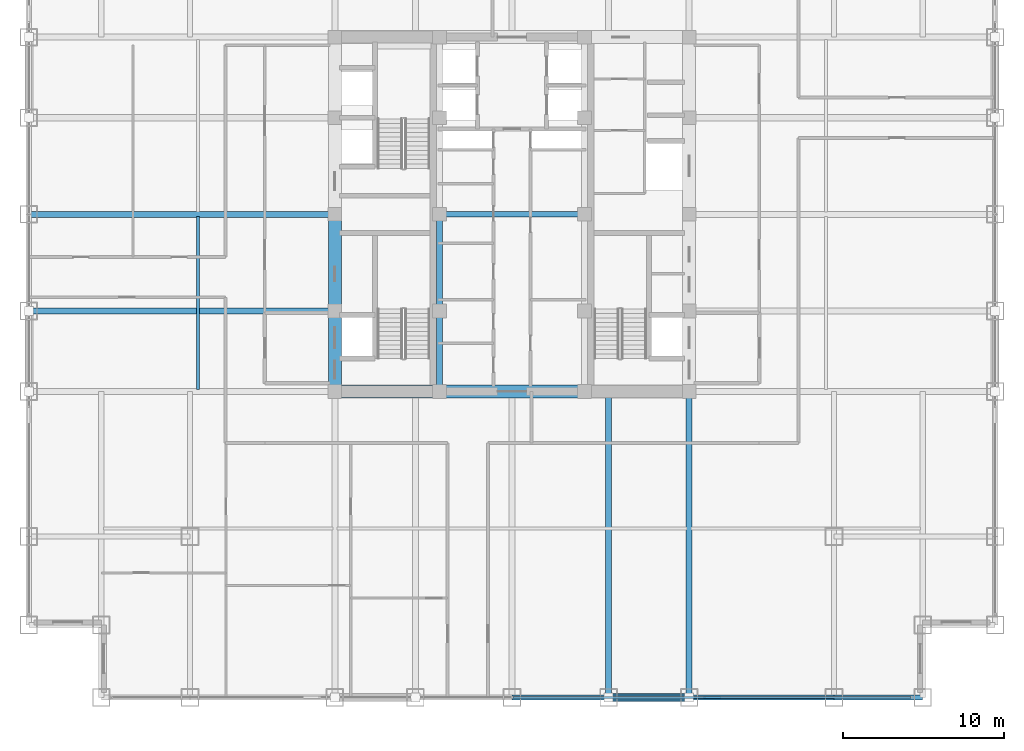
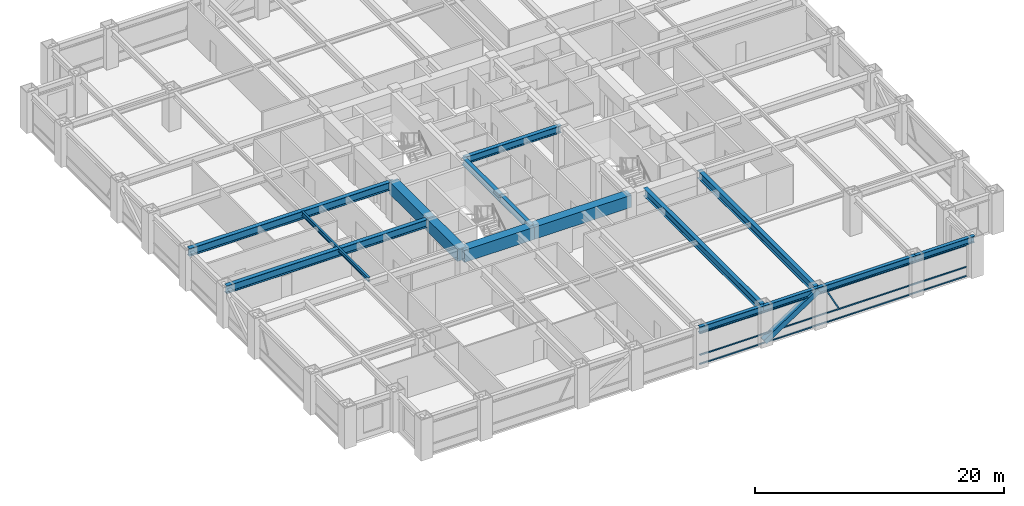
# One storey, part 7 of 24: 16 beams, 5 members, 1 element without a shape of its own.
"""IFC4 building model written with IfcOpenShell, lengths in metres."""

from ifc_helpers import new_model, si_unit, direction, frame, origin, origin_2d, place, context, subcontext, project, spatial, rectangle, hollow_rectangle, i_section, extrude, source, transform, mapped, material, material_profile, profile_set, type_object, element, aggregate, save


model = new_model("IFC4")

# Units and contexts
model_context = context("Model", 3, precision=1e-05, world=origin(), true_north=direction((0.0, 1.0)))
body_context = subcontext(model_context, "Body", "Model", "MODEL_VIEW")
ifc_project = project(units=[si_unit("LENGTHUNIT", "METRE"), si_unit("AREAUNIT", "SQUARE_METRE"), si_unit("VOLUMEUNIT", "CUBIC_METRE"), si_unit("PLANEANGLEUNIT", "RADIAN"), si_unit("MASSUNIT", "GRAM", prefix="KILO")], contexts=[model_context])

# Site, building, storey
site_placement = place(None, origin())
site = spatial("IfcSite", under=ifc_project, at=site_placement, CompositionType="ELEMENT")
building_placement = place(site_placement, origin())
building = spatial("IfcBuilding", under=site, at=building_placement, Name="Khorayat Bourse Tower", CompositionType="ELEMENT")
storey_placement = place(building_placement, frame((0.0, 0.0, 179.10009765625)))
storey = spatial("IfcBuildingStorey", under=building, at=storey_placement, Name="L41", CompositionType="ELEMENT", Elevation=179.10009765625)

# Beams
ifc_material_1 = material(Name="Concrete C72/90", Category="concrete")
ifc_material_profile_1 = material_profile(ifc_material_1, rectangle(XDim=0.800048828125, YDim=1.199951171875, at=origin_2d()), Name="RC 800x1200")
ifc_profile_set_1 = profile_set([ifc_material_profile_1], Name="Concrete C72/90")
beam_type_1 = type_object("IfcBeamType", Name="BM-COUP-1200", PredefinedType="BEAM", material=ifc_profile_set_1)
shared_shape_1 = source(origin(), body_context, "Body", "SweptSolid", [
    extrude(rectangle(XDim=0.800048828125, YDim=1.199951171875, at=origin_2d()), origin(), (0.0, 0.0, 1.0), 5.0),
])
beam_1_placement = place(storey_placement, frame((-11.0, -11.0, 3.179931640625), z_axis=(0.0, 1.0, 0.0), x_axis=(-1.0, 0.0, 0.0)))
element("IfcBeam", 1, at=beam_1_placement, inside=storey, type_object=beam_type_1, Name="L41 BM-COUP-1200 BM-L41-CRX-01", PredefinedType="BEAM", context=body_context, shape_type="MappedRepresentation", body=[
    mapped(shared_shape_1, transform((0.0, 0.0, 0.0), scale=1.0)),
])
shared_shape_2 = source(origin(), body_context, "Body", "SweptSolid", [
    extrude(rectangle(XDim=0.800048828125, YDim=1.199951171875, at=origin_2d()), origin(), (0.0, 0.0, 1.0), 6.0),
])
beam_2_placement = place(storey_placement, frame((-11.0, -6.0, 3.179931640625), z_axis=(0.0, 1.0, 0.0), x_axis=(-1.0, 0.0, 0.0)))
element("IfcBeam", 2, at=beam_2_placement, inside=storey, type_object=beam_type_1, Name="L41 BM-COUP-1200 BM-L41-CRX-02", PredefinedType="BEAM", context=body_context, shape_type="MappedRepresentation", body=[
    mapped(shared_shape_2, transform((0.0, 0.0, 0.0), scale=1.0)),
])
ifc_material_2 = material(Name="Steel ASTM A992 Grade 50", Category="steel")
ifc_material_profile_2 = material_profile(ifc_material_2, i_section(OverallWidth=0.35498046875, OverallDepth=0.695068359375, WebThickness=0.015380859375, FlangeThickness=0.02490234375, FilletRadius=0.01806640625, at=origin_2d()), Name="W690X217")
ifc_profile_set_2 = profile_set([ifc_material_profile_2], Name="Steel ASTM A992 Grade 50")
beam_type_2 = type_object("IfcBeamType", Name="BM-GIRD-690", PredefinedType="BEAM", material=ifc_profile_set_2)
shared_shape_3 = source(origin(), body_context, "Body", "SweptSolid", [
    extrude(i_section(OverallWidth=0.35498046875, OverallDepth=0.695068359375, WebThickness=0.015380859375, FlangeThickness=0.02490234375, FilletRadius=0.01806640625, at=origin_2d()), origin(), (0.0, 0.0, 1.0), 5.0),
])
beam_3_placement = place(storey_placement, frame((-4.5, -11.0, 3.432373046875), z_axis=(0.0, 1.0, 0.0), x_axis=(-1.0, 0.0, 0.0)))
element("IfcBeam", 3, at=beam_3_placement, inside=storey, type_object=beam_type_2, Name="L41 BM-GIRD-690 BM-L41-CRX-05", PredefinedType="BEAM", context=body_context, shape_type="MappedRepresentation", body=[
    mapped(shared_shape_3, transform((0.0, 0.0, 0.0), scale=1.0)),
])
shared_shape_4 = source(origin(), body_context, "Body", "SweptSolid", [
    extrude(i_section(OverallWidth=0.35498046875, OverallDepth=0.695068359375, WebThickness=0.015380859375, FlangeThickness=0.02490234375, FilletRadius=0.01806640625, at=origin_2d()), origin(), (0.0, 0.0, 1.0), 6.0),
])
beam_4_placement = place(storey_placement, frame((-4.5, -6.0, 3.432373046875), z_axis=(0.0, 1.0, 0.0), x_axis=(-1.0, 0.0, 0.0)))
element("IfcBeam", 4, at=beam_4_placement, inside=storey, type_object=beam_type_2, Name="L41 BM-GIRD-690 BM-L41-CRX-06", PredefinedType="BEAM", context=body_context, shape_type="MappedRepresentation", body=[
    mapped(shared_shape_4, transform((0.0, 0.0, 0.0), scale=1.0)),
])
shared_shape_5 = source(origin(), body_context, "Body", "SweptSolid", [
    extrude(rectangle(XDim=0.800048828125, YDim=1.199951171875, at=origin_2d()), origin(), (0.0, 0.0, 1.0), 6.5),
])
beam_5_placement = place(storey_placement, frame((-11.0, -11.0, 3.179931640625), z_axis=(1.0, 0.0, 0.0), x_axis=(0.0, 1.0, 0.0)))
element("IfcBeam", 5, at=beam_5_placement, inside=storey, type_object=beam_type_1, Name="L41 BM-COUP-1200 BM-L41-CRY-17", PredefinedType="BEAM", context=body_context, shape_type="MappedRepresentation", body=[
    mapped(shared_shape_5, transform((0.0, 0.0, 0.0), scale=1.0)),
])
shared_shape_6 = source(origin(), body_context, "Body", "SweptSolid", [
    extrude(rectangle(XDim=0.800048828125, YDim=1.199951171875, at=origin_2d()), origin(), (0.0, 0.0, 1.0), 9.0),
])
beam_6_placement = place(storey_placement, frame((-4.5, -11.0, 3.179931640625), z_axis=(1.0, 0.0, 0.0), x_axis=(0.0, 1.0, 0.0)))
element("IfcBeam", 6, at=beam_6_placement, inside=storey, type_object=beam_type_1, Name="L41 BM-COUP-1200 BM-L41-CRY-18", PredefinedType="BEAM", context=body_context, shape_type="MappedRepresentation", body=[
    mapped(shared_shape_6, transform((0.0, 0.0, 0.0), scale=1.0)),
])
shared_shape_7 = source(origin(), body_context, "Body", "SweptSolid", [
    extrude(i_section(OverallWidth=0.35498046875, OverallDepth=0.695068359375, WebThickness=0.015380859375, FlangeThickness=0.02490234375, FilletRadius=0.01806640625, at=origin_2d()), origin(), (0.0, 0.0, 1.0), 9.0),
])
beam_7_placement = place(storey_placement, frame((-4.5, 0.0, 3.432373046875), z_axis=(1.0, 0.0, 0.0), x_axis=(0.0, 1.0, 0.0)))
element("IfcBeam", 7, at=beam_7_placement, inside=storey, type_object=beam_type_2, Name="L41 BM-GIRD-690 BM-L41-CRY-23", PredefinedType="BEAM", context=body_context, shape_type="MappedRepresentation", body=[
    mapped(shared_shape_7, transform((0.0, 0.0, 0.0), scale=1.0)),
])
ifc_material_profile_3 = material_profile(ifc_material_2, i_section(OverallWidth=0.381103515625, OverallDepth=0.77294921875, WebThickness=0.0166015625, FlangeThickness=0.027587890625, FilletRadius=0.01806640625, at=origin_2d()), Name="W760X257")
ifc_profile_set_3 = profile_set([ifc_material_profile_3], Name="Steel ASTM A992 Grade 50")
beam_type_3 = type_object("IfcBeamType", Name="BM-GIRD-760", PredefinedType="BEAM", material=ifc_profile_set_3)
shared_shape_8 = source(origin(), body_context, "Body", "SweptSolid", [
    extrude(i_section(OverallWidth=0.381103515625, OverallDepth=0.77294921875, WebThickness=0.0166015625, FlangeThickness=0.027587890625, FilletRadius=0.01806640625, at=origin_2d()), origin(), (0.0, 0.0, 1.0), 19.0),
])
for number, where, z_axis, x_axis, name in (
    (8, (6.0, -30.0, 3.393310546875), (0.0, 1.0, 0.0), (-1.0, 0.0, 0.0), "L41 BM-GIRD-760 BM-L41-RADY-071"),
    (9, (11.0, -30.0, 3.393310546875), (0.0, 1.0, 0.0), (-1.0, 0.0, 0.0), "L41 BM-GIRD-760 BM-L41-RADY-073"),
    (10, (-30.0, -6.0, 3.393310546875), (1.0, 0.0, 0.0), (0.0, 1.0, 0.0), "L41 BM-GIRD-760 BM-L41-RADX-077"),
    (11, (-30.0, 0.0, 3.393310546875), (1.0, 0.0, 0.0), (0.0, 1.0, 0.0), "L41 BM-GIRD-760 BM-L41-RADX-079"),
):
    element("IfcBeam", number, at=place(storey_placement, frame(where, z_axis=z_axis, x_axis=x_axis)), inside=storey, type_object=beam_type_3, Name=name, PredefinedType="BEAM", context=body_context, shape_type="MappedRepresentation", body=[
        mapped(shared_shape_8, transform((0.0, 0.0, 0.0), scale=1.0)),
    ])
ifc_material_profile_4 = material_profile(ifc_material_2, i_section(OverallWidth=0.180908203125, OverallDepth=0.4169921875, WebThickness=0.010986328125, FlangeThickness=0.018310546875, FilletRadius=0.011962890625, at=origin_2d()), Name="W410X85")
ifc_profile_set_4 = profile_set([ifc_material_profile_4], Name="Steel ASTM A992 Grade 50")
beam_type_4 = type_object("IfcBeamType", Name="BM-JOIST-410", PredefinedType="JOIST", material=ifc_profile_set_4)
shared_shape_9 = source(origin(), body_context, "Body", "SweptSolid", [
    extrude(i_section(OverallWidth=0.180908203125, OverallDepth=0.4169921875, WebThickness=0.010986328125, FlangeThickness=0.018310546875, FilletRadius=0.011962890625, at=origin_2d()), origin(), (0.0, 0.0, 1.0), 10.740234375),
])
beam_8_placement = place(storey_placement, frame((-19.5, -10.8701171875, 3.5712890625), z_axis=(0.0, 1.0, 0.0), x_axis=(-1.0, 0.0, 0.0)))
element("IfcBeam", 12, at=beam_8_placement, inside=storey, type_object=beam_type_4, Name="L41 BM-JOIST-410 BM-L41-JSTY-102", PredefinedType="JOIST", context=body_context, shape_type="MappedRepresentation", body=[
    mapped(shared_shape_9, transform((0.0, 0.0, 0.0), scale=1.0)),
])
ifc_material_profile_5 = material_profile(ifc_material_2, i_section(OverallWidth=0.324951171875, OverallDepth=0.615966796875, WebThickness=0.013916015625, FlangeThickness=0.021484375, FilletRadius=0.01611328125, at=origin_2d()), Name="W610X174")
ifc_profile_set_5 = profile_set([ifc_material_profile_5], Name="Steel ASTM A992 Grade 50")
beam_type_5 = type_object("IfcBeamType", Name="BM-SPAN-610", PredefinedType="SPANDREL", material=ifc_profile_set_5)
shared_shape_10 = source(origin(), body_context, "Body", "SweptSolid", [
    extrude(i_section(OverallWidth=0.324951171875, OverallDepth=0.615966796875, WebThickness=0.013916015625, FlangeThickness=0.021484375, FilletRadius=0.01611328125, at=origin_2d()), origin(), (0.0, 0.0, 1.0), 5.5),
])
beam_9_placement = place(storey_placement, frame((20.0, -30.0, 3.471923828125), z_axis=(1.0, 0.0, 0.0), x_axis=(0.0, 1.0, 0.0)))
element("IfcBeam", 13, at=beam_9_placement, inside=storey, type_object=beam_type_5, Name="L41 BM-SPAN-610 BM-L41-SPN-031", PredefinedType="SPANDREL", context=body_context, shape_type="MappedRepresentation", body=[
    mapped(shared_shape_10, transform((0.0, 0.0, 0.0), scale=1.0)),
])
shared_shape_11 = source(origin(), body_context, "Body", "SweptSolid", [
    extrude(i_section(OverallWidth=0.324951171875, OverallDepth=0.615966796875, WebThickness=0.013916015625, FlangeThickness=0.021484375, FilletRadius=0.01611328125, at=origin_2d()), origin(), (0.0, 0.0, 1.0), 9.0),
])
beam_10_placement = place(storey_placement, frame((11.0, -30.0, 3.471923828125), z_axis=(1.0, 0.0, 0.0), x_axis=(0.0, 1.0, 0.0)))
element("IfcBeam", 14, at=beam_10_placement, inside=storey, type_object=beam_type_5, Name="L41 BM-SPAN-610 BM-L41-SPN-030", PredefinedType="SPANDREL", context=body_context, shape_type="MappedRepresentation", body=[
    mapped(shared_shape_11, transform((0.0, 0.0, 0.0), scale=1.0)),
])
shared_shape_12 = source(origin(), body_context, "Body", "SweptSolid", [
    extrude(i_section(OverallWidth=0.324951171875, OverallDepth=0.615966796875, WebThickness=0.013916015625, FlangeThickness=0.021484375, FilletRadius=0.01611328125, at=origin_2d()), origin(), (0.0, 0.0, 1.0), 5.0),
])
beam_11_placement = place(storey_placement, frame((6.0, -30.0, 3.471923828125), z_axis=(1.0, 0.0, 0.0), x_axis=(0.0, 1.0, 0.0)))
element("IfcBeam", 15, at=beam_11_placement, inside=storey, type_object=beam_type_5, Name="L41 BM-SPAN-610 BM-L41-SPN-029", PredefinedType="SPANDREL", context=body_context, shape_type="MappedRepresentation", body=[
    mapped(shared_shape_12, transform((0.0, 0.0, 0.0), scale=1.0)),
])
shared_shape_13 = source(origin(), body_context, "Body", "SweptSolid", [
    extrude(i_section(OverallWidth=0.324951171875, OverallDepth=0.615966796875, WebThickness=0.013916015625, FlangeThickness=0.021484375, FilletRadius=0.01611328125, at=origin_2d()), origin(), (0.0, 0.0, 1.0), 6.0),
])
beam_12_placement = place(storey_placement, frame((0.0, -30.0, 3.471923828125), z_axis=(1.0, 0.0, 0.0), x_axis=(0.0, 1.0, 0.0)))
element("IfcBeam", 16, at=beam_12_placement, inside=storey, type_object=beam_type_5, Name="L41 BM-SPAN-610 BM-L41-SPN-028", PredefinedType="SPANDREL", context=body_context, shape_type="MappedRepresentation", body=[
    mapped(shared_shape_13, transform((0.0, 0.0, 0.0), scale=1.0)),
])

# Member
ifc_material_3 = material(Name="Steel EN 10025-4 S460M", Category="steel")
ifc_material_profile_6 = material_profile(ifc_material_3, hollow_rectangle(XDim=0.5, YDim=0.5, WallThickness=0.028076171875, at=origin_2d()), Name="HSS 500x500x28")
ifc_profile_set_6 = profile_set([ifc_material_profile_6], Name="Steel EN 10025-4 S460M")
member_type_1 = type_object("IfcMemberType", Name="MBR-TUBE-500", PredefinedType="BRACE", material=ifc_profile_set_6)
shared_shape_14 = source(origin(), body_context, "Body", "SweptSolid", [
    extrude(hollow_rectangle(XDim=0.5, YDim=0.5, WallThickness=0.028076171875, at=origin_2d()), origin(), (0.0, 0.0, 1.0), 5.979736328125),
])
member_1_placement = place(storey_placement, frame((6.0, -30.0, 0.25), z_axis=(0.836160261256, 0.0, 0.548485202623), x_axis=(0.0, 1.0, 0.0)))
element("IfcMember", 17, at=member_1_placement, inside=storey, type_object=member_type_1, Name="L41 Perimeter Tube Brace 02", PredefinedType="BRACE", context=body_context, shape_type="MappedRepresentation", body=[
    mapped(shared_shape_14, transform((0.0, 0.0, 0.0), scale=1.0)),
])

# Curtain wall, members
ifc_material_4 = material(Name="Aluminium EN AW-6063 T6", Category="aluminium")
curtain_wall_type = type_object("IfcCurtainWallType", Name="CW-SYS-03", PredefinedType="NOTDEFINED", material=ifc_material_4)
curtain_wall_placement = place(storey_placement, origin())
curtain_wall = element("IfcCurtainWall", 18, at=curtain_wall_placement, inside=storey, type_object=curtain_wall_type, Name="L41 Curtain Wall CW-L41-S1", PredefinedType="NOTDEFINED")
ifc_material_profile_7 = material_profile(ifc_material_4, hollow_rectangle(XDim=0.1201171875, YDim=0.1201171875, WallThickness=0.0048828125, at=origin_2d()), Name="ALU 120x120x5")
ifc_profile_set_7 = profile_set([ifc_material_profile_7], Name="Aluminium EN AW-6063 T6")
member_type_2 = type_object("IfcMemberType", Name="CWM-DIAG-120", PredefinedType="MULLION", material=ifc_profile_set_7)
shared_shape_15 = source(origin(), body_context, "Body", "SweptSolid", [
    extrude(hollow_rectangle(XDim=0.1201171875, YDim=0.1201171875, WallThickness=0.0048828125, at=origin_2d()), origin(), (0.0, 0.0, 1.0), 2.079345703125),
])
member_2_placement = place(storey_placement, frame((12.904296875, -30.0, 1.08984375), z_axis=(-0.465760949701, 0.0, 0.884910581773), x_axis=(0.0, -1.0, 0.0)))
member_2 = element("IfcMember", 19, at=member_2_placement, type_object=member_type_2, Name="CW-L41-S1 Faceted Diagonal Mullion 2", PredefinedType="MULLION", context=body_context, shape_type="MappedRepresentation", body=[
    mapped(shared_shape_15, transform((0.0, 0.0, 0.0), scale=1.0)),
])
ifc_material_profile_8 = material_profile(ifc_material_4, hollow_rectangle(XDim=0.1201171875, YDim=0.1201171875, WallThickness=0.0048828125, at=origin_2d()), Name="ALU 120x120x5")
ifc_profile_set_8 = profile_set([ifc_material_profile_8], Name="Aluminium EN AW-6063 T6")
member_type_3 = type_object("IfcMemberType", Name="CWT-HORZ-120", PredefinedType="USERDEFINED", material=ifc_profile_set_8)
shared_shape_16 = source(origin(), body_context, "Body", "SweptSolid", [
    extrude(hollow_rectangle(XDim=0.1201171875, YDim=0.1201171875, WallThickness=0.0048828125, at=origin_2d()), origin(), (0.0, 0.0, 1.0), 24.719970703125),
])
member_3_placement = place(storey_placement, frame((0.06005859375, -30.0, 0.059814453125), z_axis=(1.0, 0.0, 0.0), x_axis=(0.0, 1.0, 0.0)))
member_3 = element("IfcMember", 20, at=member_3_placement, type_object=member_type_3, Name="CW-L41-S1 Horizontal Transom 2-1", ObjectType="TRANSOM", PredefinedType="USERDEFINED", context=body_context, shape_type="MappedRepresentation", body=[
    mapped(shared_shape_16, transform((0.0, 0.0, 0.0), scale=1.0)),
])
member_4_placement = place(storey_placement, frame((0.06005859375, -30.0, 0.949951171875), z_axis=(1.0, 0.0, 0.0), x_axis=(0.0, 1.0, 0.0)))
member_4 = element("IfcMember", 21, at=member_4_placement, type_object=member_type_3, Name="CW-L41-S1 Horizontal Transom 2-2", ObjectType="TRANSOM", PredefinedType="USERDEFINED", context=body_context, shape_type="MappedRepresentation", body=[
    mapped(shared_shape_16, transform((0.0, 0.0, 0.0), scale=1.0)),
])
member_5_placement = place(storey_placement, frame((0.06005859375, -30.0, 3.06982421875), z_axis=(1.0, 0.0, 0.0), x_axis=(0.0, 1.0, 0.0)))
member_5 = element("IfcMember", 22, at=member_5_placement, type_object=member_type_3, Name="CW-L41-S1 Horizontal Transom 2-3", ObjectType="TRANSOM", PredefinedType="USERDEFINED", context=body_context, shape_type="MappedRepresentation", body=[
    mapped(shared_shape_16, transform((0.0, 0.0, 0.0), scale=1.0)),
])
aggregate(curtain_wall, [member_3, member_4, member_5, member_2])

save(model, "model.ifc")
